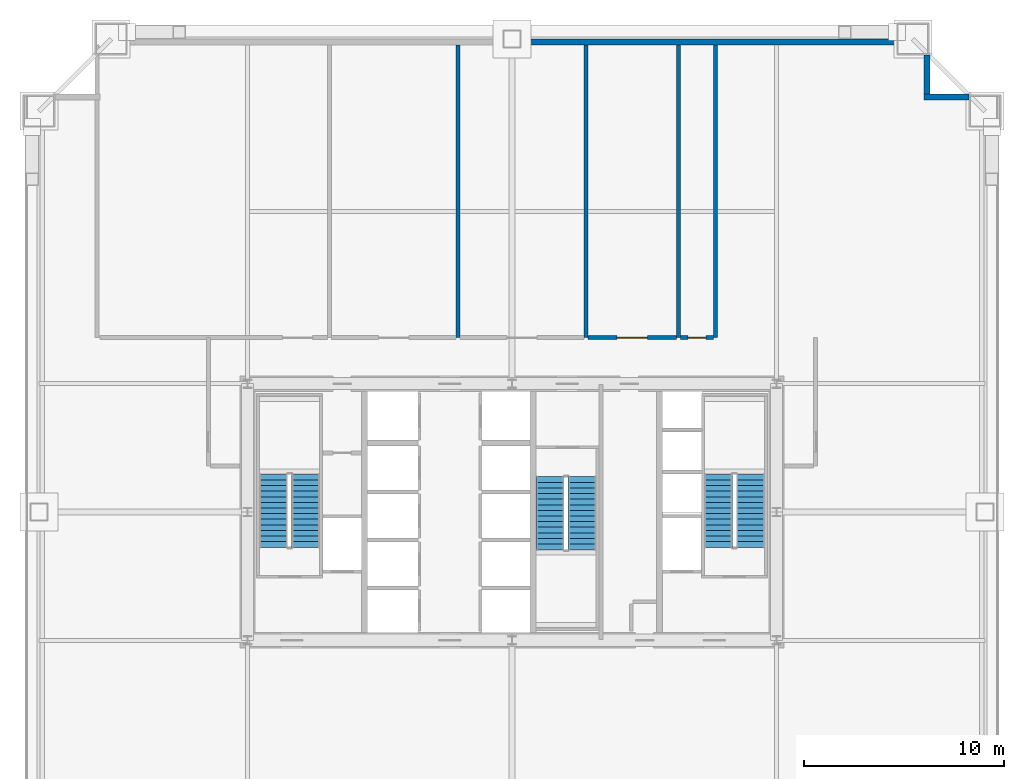
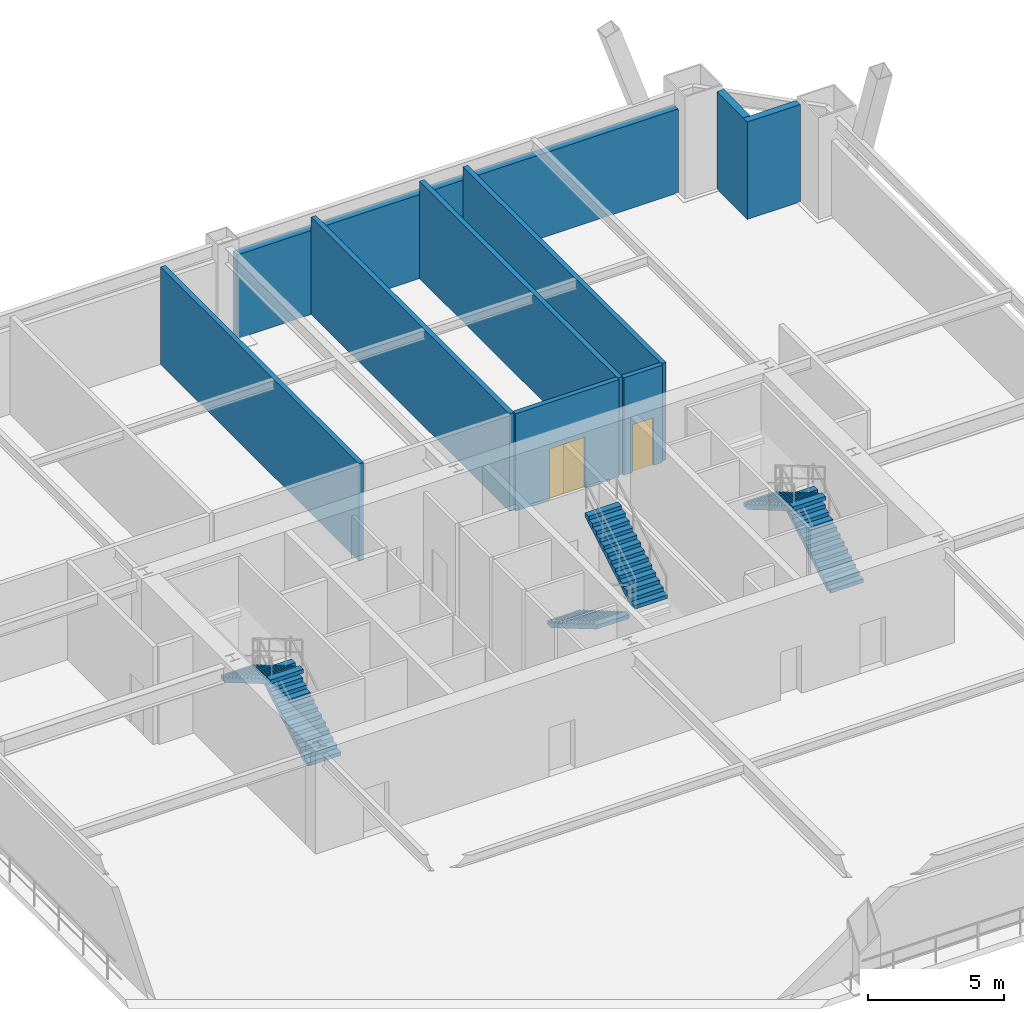
# One storey, part 5 of 9: 9 walls, 6 stair flights, 2 doors, 2 openings, 3 elements without a shape of their own.
"""IFC4 building model written with IfcOpenShell, lengths in metres."""

from ifc_helpers import new_model, si_unit, direction, frame, frame_2d, origin, place, context, subcontext, project, spatial, polyline, rectangle, outline, extrude, source, transform, mapped, material, layer, layer_set, type_object, element, fill, aggregate, save


model = new_model("IFC4")

# Units and contexts
model_context = context("Model", 3, precision=1e-05, world=origin(), true_north=direction((0.0, 1.0)))
body_context = subcontext(model_context, "Body", "Model", "MODEL_VIEW")
ifc_project = project(units=[si_unit("LENGTHUNIT", "METRE"), si_unit("AREAUNIT", "SQUARE_METRE"), si_unit("VOLUMEUNIT", "CUBIC_METRE"), si_unit("PLANEANGLEUNIT", "RADIAN"), si_unit("MASSUNIT", "GRAM", prefix="KILO"), si_unit("THERMODYNAMICTEMPERATUREUNIT", "KELVIN"), si_unit("POWERUNIT", "WATT")], contexts=[model_context])

# Site, building, storey
site_placement = place(None, origin())
site = spatial("IfcSite", under=ifc_project, at=site_placement, CompositionType="ELEMENT")
building_placement = place(site_placement, origin())
building = spatial("IfcBuilding", under=site, at=building_placement, Name="Yuzanri Waterfront Tower", CompositionType="ELEMENT")
storey_placement = place(building_placement, frame((0.0, 0.0, 85.60009765625)))
storey = spatial("IfcBuildingStorey", under=building, at=storey_placement, Name="L22", CompositionType="ELEMENT", Elevation=85.60009765625)

# Wall, opening, door
ifc_material_1 = material(Name="Autoclaved Aerated Concrete Blockwork", Category="masonry")
ifc_layer_1 = layer(ifc_material_1, 0.199951171875)
ifc_layer_set_1 = layer_set([ifc_layer_1], Name="Autoclaved Aerated Concrete Blockwork")
wall_type_1 = type_object("IfcWallType", Name="Corridor and Unit Party Fire Wall 200", PredefinedType="PARTITIONING", material=ifc_layer_set_1)
wall_1_placement = place(storey_placement, frame((40.800048828125, 34.5, 0.0), z_axis=(0.0, 0.0, 1.0), x_axis=(1.0, 0.0, 0.0)))
wall_1 = element("IfcWall", 1, at=wall_1_placement, inside=storey, type_object=wall_type_1, Name="L22 Partition RFW-L22-019-S", PredefinedType="PARTITIONING", context=body_context, shape_type="SweptSolid", body=[
    extrude(rectangle(XDim=4.39990234375, YDim=0.199951171875, at=frame_2d((2.199951171875, 0.0))), origin(), (0.0, 0.0, 1.0), 4.3798828125),
])
opening_1_placement = place(wall_1_placement, frame((1.449951171875, 0.0, 0.0)))
opening_1 = element("IfcOpeningElement", 2, at=opening_1_placement, cuts=wall_1, Name="Opening FD-1500", PredefinedType="OPENING", context=body_context, shape_type="SweptSolid", body=[
    extrude(rectangle(XDim=1.5, YDim=2.300048828125, at=frame_2d((0.75, 1.14990234375))), frame((0.0, 0.11474609375, 0.0), z_axis=(0.0, -1.0, 0.0), x_axis=(1.0, 0.0, 0.0)), (0.0, 0.0, 1.0), 0.229736328125),
])
ifc_material_2 = material(Name="Painted Galvanized Fire Steel", Category="steel")
door_type_1 = type_object("IfcDoorType", Name="Plant and Ballroom Double Fire Door 1500x2300", OperationType="NOTDEFINED", PredefinedType="DOOR", material=ifc_material_2)
shared_shape_1 = source(origin(), body_context, "Body", "SweptSolid", [
    extrude(rectangle(XDim=1.5, YDim=2.300048828125, at=frame_2d((0.75, 1.14990234375))), frame((0.0, 0.02490234375, 0.0), z_axis=(0.0, -1.0, 0.0), x_axis=(1.0, 0.0, 0.0)), (0.0, 0.0, 1.0), 0.050048828125),
])
door_1_placement = place(opening_1_placement, origin())
door_1 = element("IfcDoor", 3, at=door_1_placement, inside=storey, type_object=door_type_1, Name="L22 Electrical Transformer and UPS Room", OperationType="DOUBLE_DOOR_SINGLE_SWING", OverallHeight=2.300048828125, OverallWidth=1.5, PredefinedType="DOOR", context=body_context, shape_type="MappedRepresentation", body=[
    mapped(shared_shape_1, transform((0.0, 0.0, 0.0), scale=1.0)),
])
fill(opening_1, door_1)

wall_2_placement = place(storey_placement, frame((45.39990234375, 34.5, 0.0), z_axis=(0.0, 0.0, 1.0), x_axis=(1.0, 0.0, 0.0)))
wall_2 = element("IfcWall", 4, at=wall_2_placement, inside=storey, type_object=wall_type_1, Name="L22 Partition RFW-L22-020-S", PredefinedType="PARTITIONING", context=body_context, shape_type="SweptSolid", body=[
    extrude(rectangle(XDim=1.650146484375, YDim=0.199951171875, at=frame_2d((0.8251953125, 0.0))), origin(), (0.0, 0.0, 1.0), 4.3798828125),
])
opening_2_placement = place(wall_2_placement, frame((0.3701171875, 0.0, 0.0)))
opening_2 = element("IfcOpeningElement", 5, at=opening_2_placement, cuts=wall_2, Name="Opening FD-0900", PredefinedType="OPENING", context=body_context, shape_type="SweptSolid", body=[
    extrude(rectangle(XDim=0.89990234375, YDim=2.14990234375, at=frame_2d((0.449951171875, 1.074951171875))), frame((0.0, 0.11474609375, 0.0), z_axis=(0.0, -1.0, 0.0), x_axis=(1.0, 0.0, 0.0)), (0.0, 0.0, 1.0), 0.229736328125),
])
ifc_material_3 = material(Name="Painted Galvanized Fire Steel", Category="steel")
door_type_2 = type_object("IfcDoorType", Name="Riser and Service Room Fire Door 900x2150", OperationType="NOTDEFINED", PredefinedType="DOOR", material=ifc_material_3)
shared_shape_2 = source(origin(), body_context, "Body", "SweptSolid", [
    extrude(rectangle(XDim=0.89990234375, YDim=2.14990234375, at=frame_2d((0.449951171875, 1.074951171875))), frame((0.0, 0.02490234375, 0.0), z_axis=(0.0, -1.0, 0.0), x_axis=(1.0, 0.0, 0.0)), (0.0, 0.0, 1.0), 0.050048828125),
])
door_2_placement = place(opening_2_placement, origin())
door_2 = element("IfcDoor", 6, at=door_2_placement, inside=storey, type_object=door_type_2, Name="L22 Refuge Accessible WC", OperationType="SINGLE_SWING_RIGHT", OverallHeight=2.14990234375, OverallWidth=0.89990234375, PredefinedType="DOOR", context=body_context, shape_type="MappedRepresentation", body=[
    mapped(shared_shape_2, transform((0.0, 0.0, 0.0), scale=1.0)),
])
fill(opening_2, door_2)

# Walls
ifc_material_4 = material(Name="Honed Chongqing Dark Basalt Stone", Category="masonry")
ifc_layer_2 = layer(ifc_material_4, 0.300048828125)
ifc_layer_set_2 = layer_set([ifc_layer_2], Name="Honed Chongqing Dark Basalt Stone")
wall_type_2 = type_object("IfcWallType", Name="Bronze Rainscreen Insulated Spandrel Portal Wall 300", PredefinedType="SOLIDWALL", material=ifc_layer_set_2)
shared_shape_3 = source(origin(), body_context, "Body", "SweptSolid", [
    extrude(rectangle(XDim=2.25, YDim=0.300048828125, at=frame_2d((1.125, 0.0))), origin(), (0.0, 0.0, 1.0), 4.3798828125),
])
for number, where, z_axis, x_axis, name in (
    (7, (59.800048828125, 46.5, 0.0), (0.0, 0.0, 1.0), (-1.0, 0.0, 0.0), "L22 Notched Corner Masonry Wall NE-X"),
    (8, (57.699951171875, 46.35009765625, 0.0), (0.0, 0.0, 1.0), (0.0, 1.0, 0.0), "L22 Notched Corner Masonry Wall NE-Y"),
):
    element("IfcWall", number, at=place(storey_placement, frame(where, z_axis=z_axis, x_axis=x_axis)), inside=storey, type_object=wall_type_2, Name=name, PredefinedType="SOLIDWALL", context=body_context, shape_type="MappedRepresentation", body=[
        mapped(shared_shape_3, transform((0.0, 0.0, 0.0), scale=1.0)),
    ])
shared_shape_4 = source(origin(), body_context, "Body", "SweptSolid", [
    extrude(rectangle(XDim=18.75, YDim=0.300048828125, at=frame_2d((9.375, 0.0))), origin(), (0.0, 0.0, 1.0), 3.77490234375),
])
wall_3_placement = place(storey_placement, frame((37.449951171875, 49.25, 0.0), z_axis=(0.0, 0.0, 1.0), x_axis=(1.0, 0.0, 0.0)))
element("IfcWall", 9, at=wall_3_placement, inside=storey, type_object=wall_type_2, Name="L22 Refuge Plant North-East Wall", PredefinedType="SOLIDWALL", context=body_context, shape_type="MappedRepresentation", body=[
    mapped(shared_shape_4, transform((0.0, 0.0, 0.0), scale=1.0)),
])
shared_shape_5 = source(origin(), body_context, "Body", "SweptSolid", [
    extrude(rectangle(XDim=14.60009765625, YDim=0.199951171875, at=frame_2d((7.300048828125, 0.0))), origin(), (0.0, 0.0, 1.0), 4.3798828125),
])
for number, where, z_axis, x_axis, name in (
    (10, (34.300048828125, 34.5, 0.0), (0.0, 0.0, 1.0), (0.0, 1.0, 0.0), "L22-017 Plant Demising Wall"),
    (11, (40.699951171875, 34.5, 0.0), (0.0, 0.0, 1.0), (0.0, 1.0, 0.0), "L22-018 Plant Demising Wall"),
    (12, (45.300048828125, 34.5, 0.0), (0.0, 0.0, 1.0), (0.0, 1.0, 0.0), "L22-019 Plant Demising Wall"),
    (13, (47.14990234375, 34.5, 0.0), (0.0, 0.0, 1.0), (0.0, 1.0, 0.0), "L22-020 Plant Demising Wall"),
):
    element("IfcWall", number, at=place(storey_placement, frame(where, z_axis=z_axis, x_axis=x_axis)), inside=storey, type_object=wall_type_1, Name=name, PredefinedType="PARTITIONING", context=body_context, shape_type="MappedRepresentation", body=[
        mapped(shared_shape_5, transform((0.0, 0.0, 0.0), scale=1.0)),
    ])

# Stair, stair flights
ifc_material_5 = material(Name="Concrete C40", Category="concrete")
stair_type = type_object("IfcStairType", Name="Concrete C40 Core Dogleg Exit Stair", PredefinedType="HALF_TURN_STAIR", material=ifc_material_5)
stair_1_placement = place(storey_placement, origin())
stair_1 = element("IfcStair", 14, at=stair_1_placement, inside=storey, type_object=stair_type, Name="L22 Smoke-Proof Core Stair ST-01", PredefinedType="HALF_TURN_STAIR")
ifc_material_6 = material(Name="Concrete C40", Category="concrete")
stair_flight_type = type_object("IfcStairFlightType", Name="Concrete C40 Tall-Storey Precast Stair Flight 1380", PredefinedType="STRAIGHT", material=ifc_material_6)
shared_shape_6 = source(origin(), body_context, "Body", "SweptSolid", [
    extrude(outline(polyline([(0.0, 0.0), (0.0, 0.164306640625), (0.280029296875, 0.164306640625), (0.280029296875, 0.32861328125), (0.56005859375, 0.32861328125), (0.56005859375, 0.492919921875), (0.840087890625, 0.492919921875), (0.840087890625, 0.6572265625), (1.1201171875, 0.6572265625), (1.1201171875, 0.821533203125), (1.39990234375, 0.821533203125), (1.39990234375, 0.985595703125), (1.679931640625, 0.985595703125), (1.679931640625, 1.14990234375), (1.9599609375, 1.14990234375), (1.9599609375, 1.314208984375), (2.239990234375, 1.314208984375), (2.239990234375, 1.478515625), (2.52001953125, 1.478515625), (2.52001953125, 1.642822265625), (2.800048828125, 1.642822265625), (2.800048828125, 1.80712890625), (3.080078125, 1.80712890625), (3.080078125, 1.971435546875), (3.360107421875, 1.971435546875), (3.360107421875, 2.1357421875), (3.639892578125, 2.1357421875), (3.639892578125, 2.300048828125), (3.639892578125, 1.9619140625), (0.296142578125, 0.0), (0.0, 0.0)])), frame((0.0, 0.699951171875, 0.0), z_axis=(0.0, -1.0, 0.0), x_axis=(1.0, 0.0, 0.0)), (0.0, 0.0, 1.0), 1.39990234375),
])
stair_flight_1_placement = place(storey_placement, frame((26.699951171875, 24.0400390625, 0.0), z_axis=(0.0, 0.0, 1.0), x_axis=(0.0, 1.0, 0.0)))
stair_flight_1 = element("IfcStairFlight", 15, at=stair_flight_1_placement, type_object=stair_flight_type, Name="ST-01 flight 1", NumberOfRisers=14, NumberOfTreads=13, PredefinedType="STRAIGHT", RiserHeight=0.164285714, TreadLength=0.28, context=body_context, shape_type="MappedRepresentation", body=[
    mapped(shared_shape_6, transform((0.0, 0.0, 0.0), scale=1.0)),
])
stair_flight_2_placement = place(storey_placement, frame((25.10009765625, 27.679931640625, 2.2998046875), z_axis=(0.0, 0.0, 1.0), x_axis=(0.0, -1.0, 0.0)))
stair_flight_2 = element("IfcStairFlight", 16, at=stair_flight_2_placement, type_object=stair_flight_type, Name="ST-01 flight 2", NumberOfRisers=14, NumberOfTreads=13, PredefinedType="STRAIGHT", RiserHeight=0.164285714, TreadLength=0.28, context=body_context, shape_type="MappedRepresentation", body=[
    mapped(shared_shape_6, transform((0.0, 0.0, 0.0), scale=1.0)),
])
aggregate(stair_1, [stair_flight_1, stair_flight_2])

stair_2_placement = place(storey_placement, origin())
stair_2 = element("IfcStair", 17, at=stair_2_placement, inside=storey, type_object=stair_type, Name="L22 Smoke-Proof Core Stair ST-02", PredefinedType="HALF_TURN_STAIR")
stair_flight_3_placement = place(storey_placement, frame((48.89990234375, 24.0400390625, 0.0), z_axis=(0.0, 0.0, 1.0), x_axis=(0.0, 1.0, 0.0)))
stair_flight_3 = element("IfcStairFlight", 18, at=stair_flight_3_placement, type_object=stair_flight_type, Name="ST-02 flight 1", NumberOfRisers=14, NumberOfTreads=13, PredefinedType="STRAIGHT", RiserHeight=0.164285714, TreadLength=0.28, context=body_context, shape_type="MappedRepresentation", body=[
    mapped(shared_shape_6, transform((0.0, 0.0, 0.0), scale=1.0)),
])
stair_flight_4_placement = place(storey_placement, frame((47.300048828125, 27.679931640625, 2.2998046875), z_axis=(0.0, 0.0, 1.0), x_axis=(0.0, -1.0, 0.0)))
stair_flight_4 = element("IfcStairFlight", 19, at=stair_flight_4_placement, type_object=stair_flight_type, Name="ST-02 flight 2", NumberOfRisers=14, NumberOfTreads=13, PredefinedType="STRAIGHT", RiserHeight=0.164285714, TreadLength=0.28, context=body_context, shape_type="MappedRepresentation", body=[
    mapped(shared_shape_6, transform((0.0, 0.0, 0.0), scale=1.0)),
])
aggregate(stair_2, [stair_flight_3, stair_flight_4])

stair_3_placement = place(storey_placement, origin())
stair_3 = element("IfcStair", 20, at=stair_3_placement, inside=storey, type_object=stair_type, Name="L22 Smoke-Proof Core Stair ST-03", PredefinedType="HALF_TURN_STAIR")
stair_flight_5_placement = place(storey_placement, frame((38.89990234375, 27.56005859375, 0.0), z_axis=(0.0, 0.0, 1.0), x_axis=(0.0, -1.0, 0.0)))
stair_flight_5 = element("IfcStairFlight", 21, at=stair_flight_5_placement, type_object=stair_flight_type, Name="ST-03 flight 1", NumberOfRisers=14, NumberOfTreads=13, PredefinedType="STRAIGHT", RiserHeight=0.164285714, TreadLength=0.28, context=body_context, shape_type="MappedRepresentation", body=[
    mapped(shared_shape_6, transform((0.0, 0.0, 0.0), scale=1.0)),
])
stair_flight_6_placement = place(storey_placement, frame((40.5, 23.919921875, 2.2998046875), z_axis=(0.0, 0.0, 1.0), x_axis=(0.0, 1.0, 0.0)))
stair_flight_6 = element("IfcStairFlight", 22, at=stair_flight_6_placement, type_object=stair_flight_type, Name="ST-03 flight 2", NumberOfRisers=14, NumberOfTreads=13, PredefinedType="STRAIGHT", RiserHeight=0.164285714, TreadLength=0.28, context=body_context, shape_type="MappedRepresentation", body=[
    mapped(shared_shape_6, transform((0.0, 0.0, 0.0), scale=1.0)),
])
aggregate(stair_3, [stair_flight_5, stair_flight_6])

save(model, "model.ifc")
